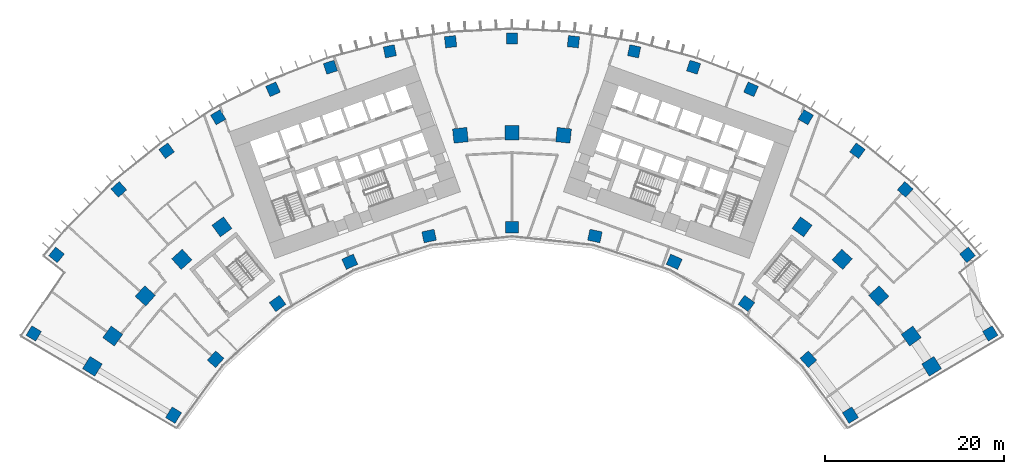
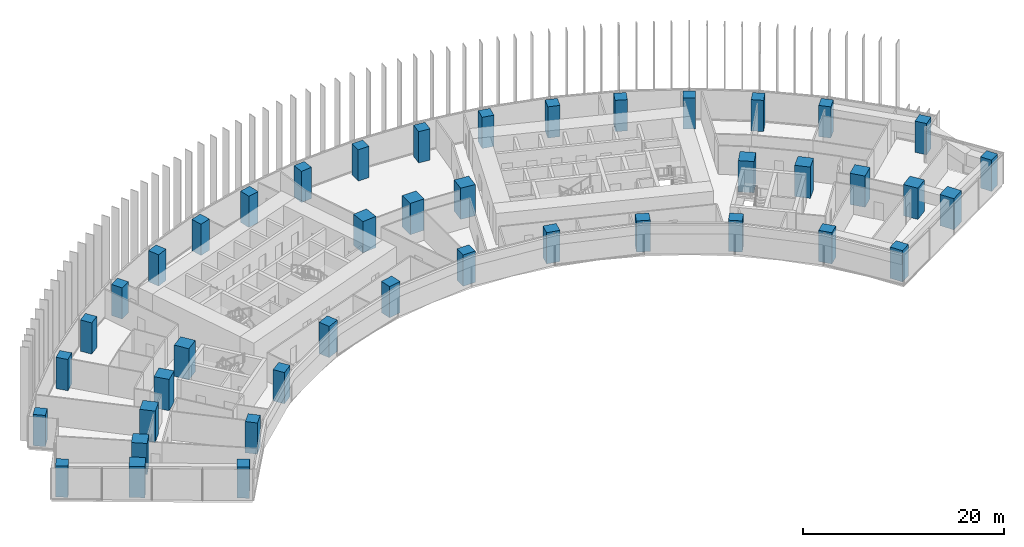
# One storey, part 1 of 24: 43 columns.
"""IFC4 building model written with IfcOpenShell, lengths in metres."""

from ifc_helpers import new_model, si_unit, direction, frame, origin, origin_2d, place, context, subcontext, project, spatial, rectangle, extrude, material, material_profile, profile_set, type_object, element, save


model = new_model("IFC4")

# Units and contexts
model_context = context("Model", 3, precision=1e-05, world=origin(), true_north=direction((0.0, 1.0)))
body_context = subcontext(model_context, "Body", "Model", "MODEL_VIEW")
ifc_project = project(units=[si_unit("LENGTHUNIT", "METRE"), si_unit("AREAUNIT", "SQUARE_METRE"), si_unit("VOLUMEUNIT", "CUBIC_METRE"), si_unit("PLANEANGLEUNIT", "RADIAN"), si_unit("MASSUNIT", "GRAM", prefix="KILO")], contexts=[model_context])

# Site, building, storey
site_placement = place(None, origin())
site = spatial("IfcSite", under=ifc_project, at=site_placement, CompositionType="ELEMENT")
building_placement = place(site_placement, origin())
building = spatial("IfcBuilding", under=site, at=building_placement, Name="Stone Belt Terrace Tower", CompositionType="ELEMENT")
storey_placement = place(building_placement, frame((0.0, 0.0, 41.39990234375)))
storey = spatial("IfcBuildingStorey", under=building, at=storey_placement, Name="L09", CompositionType="ELEMENT", Elevation=41.39990234375)

# Columns
ifc_material = material(Name="Concrete B80", Category="concrete")
ifc_material_profile_1 = material_profile(ifc_material, rectangle(XDim=1.25, YDim=1.25, at=origin_2d()), Name="RC 1250x1250")
ifc_profile_set_1 = profile_set([ifc_material_profile_1], Name="Concrete B80")
column_type_1 = type_object("IfcColumnType", Name="Column RC 1250x1250 B80", PredefinedType="COLUMN", material=ifc_profile_set_1)
for number, where, z_axis, x_axis, name in (
    (1, (-53.30078125, 32.6171875, 0.0), (0.0, 0.0, 1.0), (0.521967198123, 0.852965558556, 0.0), "Column L09 RA"),
    (2, (53.30078125, 32.6171875, 0.0), (0.0, 0.0, 1.0), (0.521967198123, -0.852965558556, 0.0), "Column L09 RB"),
    (3, (-50.7646484375, 41.373046875, 0.0), (0.0, 0.0, 1.0), (0.631758757508, 0.775165061333, 0.0), "Column L09 RNA"),
    (4, (-43.820556640625, 48.667724609375, 0.0), (0.0, 0.0, 1.0), (0.743144825477, 0.669130606359, 0.0), "Column L09 R15"),
    (5, (-38.493408203125, 52.981689453125, 0.0), (0.0, 0.0, 1.0), (0.809016994375, 0.587785252292, 0.0), "Column L09 R16"),
    (6, (-32.744384765625, 56.715087890625, 0.0), (0.0, 0.0, 1.0), (0.866025403784, 0.5, 0.0), "Column L09 R17"),
    (7, (-26.63671875, 59.8271484375, 0.0), (0.0, 0.0, 1.0), (0.913545457643, 0.406736643076, 0.0), "Column L09 R18"),
    (8, (-20.2373046875, 62.28369140625, 0.0), (0.0, 0.0, 1.0), (0.951056516295, 0.309016994375, 0.0), "Column L09 R19"),
    (9, (-13.615966796875, 64.057861328125, 0.0), (0.0, 0.0, 1.0), (0.978147600734, 0.207911690818, 0.0), "Column L09 R20"),
    (10, (-6.845458984375, 65.130126953125, 0.0), (0.0, 0.0, 1.0), (0.994521895368, 0.104528463268, 0.0), "Column L09 R21"),
    (11, (0.0, 65.489013671875, 0.0), (0.0, 0.0, 1.0), (1.0, 0.0, 0.0), "Column L09 R22"),
    (12, (6.845458984375, 65.130126953125, 0.0), (0.0, 0.0, 1.0), (0.994521895368, -0.104528463268, 0.0), "Column L09 R23"),
    (13, (13.615966796875, 64.057861328125, 0.0), (0.0, 0.0, 1.0), (0.978147600734, -0.207911690818, 0.0), "Column L09 R24"),
    (14, (20.2373046875, 62.28369140625, 0.0), (0.0, 0.0, 1.0), (0.951056516295, -0.309016994375, 0.0), "Column L09 R25"),
    (15, (26.63671875, 59.8271484375, 0.0), (0.0, 0.0, 1.0), (0.913545457643, -0.406736643076, 0.0), "Column L09 R26"),
    (16, (32.744384765625, 56.715087890625, 0.0), (0.0, 0.0, 1.0), (0.866025403784, -0.5, 0.0), "Column L09 R27"),
    (17, (38.493408203125, 52.981689453125, 0.0), (0.0, 0.0, 1.0), (0.809016994375, -0.587785252292, 0.0), "Column L09 R28"),
    (18, (43.820556640625, 48.667724609375, 0.0), (0.0, 0.0, 1.0), (0.743144825477, -0.669130606359, 0.0), "Column L09 R29"),
    (19, (50.7646484375, 41.373046875, 0.0), (0.0, 0.0, 1.0), (0.631758757508, -0.775165061333, 0.0), "Column L09 RNB"),
):
    element("IfcColumn", number, at=place(storey_placement, frame(where, z_axis=z_axis, x_axis=x_axis)), inside=storey, type_object=column_type_1, Name=name, PredefinedType="COLUMN", context=body_context, shape_type="SweptSolid", body=[
        extrude(rectangle(XDim=1.25, YDim=1.25, at=origin_2d()), origin(), (0.0, 0.0, 1.0), 3.800048828125),
    ])
ifc_material_profile_2 = material_profile(ifc_material, rectangle(XDim=1.39990234375, YDim=1.25, at=origin_2d()), Name="RC 1400x1250")
ifc_profile_set_2 = profile_set([ifc_material_profile_2], Name="Concrete B80")
column_type_2 = type_object("IfcColumnType", Name="Column RC 1400x1250 B80", PredefinedType="COLUMN", material=ifc_profile_set_2)
for number, where, z_axis, x_axis, name in (
    (20, (-37.718017578125, 23.510009765625, 0.0), (0.0, 0.0, 1.0), (0.528967211548, 0.84864226215, 0.0), "Column L09 PA"),
    (21, (-33.029052734375, 29.739501953125, 0.0), (0.0, 0.0, 1.0), (0.669130606359, 0.743144825477, 0.0), "Column L09 P14"),
    (22, (-26.1240234375, 35.956787109375, 0.0), (0.0, 0.0, 1.0), (0.809016994375, 0.587785252292, 0.0), "Column L09 P16"),
    (23, (-18.077392578125, 40.6025390625, 0.0), (0.0, 0.0, 1.0), (0.913545457643, 0.406736643076, 0.0), "Column L09 P18"),
    (24, (-9.240478515625, 43.473876953125, 0.0), (0.0, 0.0, 1.0), (0.978147600734, 0.207911690818, 0.0), "Column L09 P20"),
    (25, (0.0, 44.445068359375, 0.0), (0.0, 0.0, 1.0), (1.0, 0.0, 0.0), "Column L09 P22"),
    (26, (9.240478515625, 43.473876953125, 0.0), (0.0, 0.0, 1.0), (0.978147600734, -0.207911690818, 0.0), "Column L09 P24"),
    (27, (18.077392578125, 40.6025390625, 0.0), (0.0, 0.0, 1.0), (0.913545457643, -0.406736643076, 0.0), "Column L09 P26"),
    (28, (26.1240234375, 35.956787109375, 0.0), (0.0, 0.0, 1.0), (0.809016994375, -0.587785252292, 0.0), "Column L09 P28"),
    (29, (33.029052734375, 29.739501953125, 0.0), (0.0, 0.0, 1.0), (0.669130606359, -0.743144825477, 0.0), "Column L09 P30"),
    (30, (37.718017578125, 23.510009765625, 0.0), (0.0, 0.0, 1.0), (0.528967211548, -0.84864226215, 0.0), "Column L09 PB"),
):
    element("IfcColumn", number, at=place(storey_placement, frame(where, z_axis=z_axis, x_axis=x_axis)), inside=storey, type_object=column_type_2, Name=name, PredefinedType="COLUMN", context=body_context, shape_type="SweptSolid", body=[
        extrude(rectangle(XDim=1.39990234375, YDim=1.25, at=origin_2d()), origin(), (0.0, 0.0, 1.0), 3.800048828125),
    ])
ifc_material_profile_3 = material_profile(ifc_material, rectangle(XDim=1.60009765625, YDim=1.60009765625, at=origin_2d()), Name="RC 1600x1600")
ifc_profile_set_3 = profile_set([ifc_material_profile_3], Name="Concrete B80")
column_type_3 = type_object("IfcColumnType", Name="Column RC 1600x1600 B80", PredefinedType="COLUMN", material=ifc_profile_set_3)
for number, where, z_axis, x_axis, name in (
    (31, (-46.763671875, 28.951171875, 0.0), (0.0, 0.0, 1.0), (0.526383105721, 0.850247508677, 0.0), "Column L09 QA"),
    (32, (-44.495849609375, 32.328125, 0.0), (0.0, 0.0, 1.0), (0.587785252292, 0.809016994375, 0.0), "Column L09 Q13"),
    (33, (-40.873046875, 36.80224609375, 0.0), (0.0, 0.0, 1.0), (0.669130606359, 0.743144825477, 0.0), "Column L09 Q14"),
    (34, (-36.80224609375, 40.873046875, 0.0), (0.0, 0.0, 1.0), (0.743144825477, 0.669130606359, 0.0), "Column L09 Q15"),
    (35, (-32.328125, 44.495849609375, 0.0), (0.0, 0.0, 1.0), (0.809016994375, 0.587785252292, 0.0), "Column L09 Q16"),
    (36, (-5.7490234375, 54.69873046875, 0.0), (0.0, 0.0, 1.0), (0.994521895368, 0.104528463268, 0.0), "Column L09 Q21"),
    (37, (0.0, 55.0, 0.0), (0.0, 0.0, 1.0), (1.0, 0.0, 0.0), "Column L09 Q22"),
    (38, (5.7490234375, 54.69873046875, 0.0), (0.0, 0.0, 1.0), (0.994521895368, -0.104528463268, 0.0), "Column L09 Q23"),
    (39, (32.328125, 44.495849609375, 0.0), (0.0, 0.0, 1.0), (0.809016994375, -0.587785252292, 0.0), "Column L09 Q28"),
    (40, (36.80224609375, 40.873046875, 0.0), (0.0, 0.0, 1.0), (0.743144825477, -0.669130606359, 0.0), "Column L09 Q29"),
    (41, (40.873046875, 36.80224609375, 0.0), (0.0, 0.0, 1.0), (0.669130606359, -0.743144825477, 0.0), "Column L09 Q30"),
    (42, (44.495849609375, 32.328125, 0.0), (0.0, 0.0, 1.0), (0.587785252292, -0.809016994375, 0.0), "Column L09 Q31"),
    (43, (46.763671875, 28.951171875, 0.0), (0.0, 0.0, 1.0), (0.526383105721, -0.850247508677, 0.0), "Column L09 QB"),
):
    element("IfcColumn", number, at=place(storey_placement, frame(where, z_axis=z_axis, x_axis=x_axis)), inside=storey, type_object=column_type_3, Name=name, PredefinedType="COLUMN", context=body_context, shape_type="SweptSolid", body=[
        extrude(rectangle(XDim=1.60009765625, YDim=1.60009765625, at=origin_2d()), origin(), (0.0, 0.0, 1.0), 3.800048828125),
    ])

save(model, "model.ifc")
